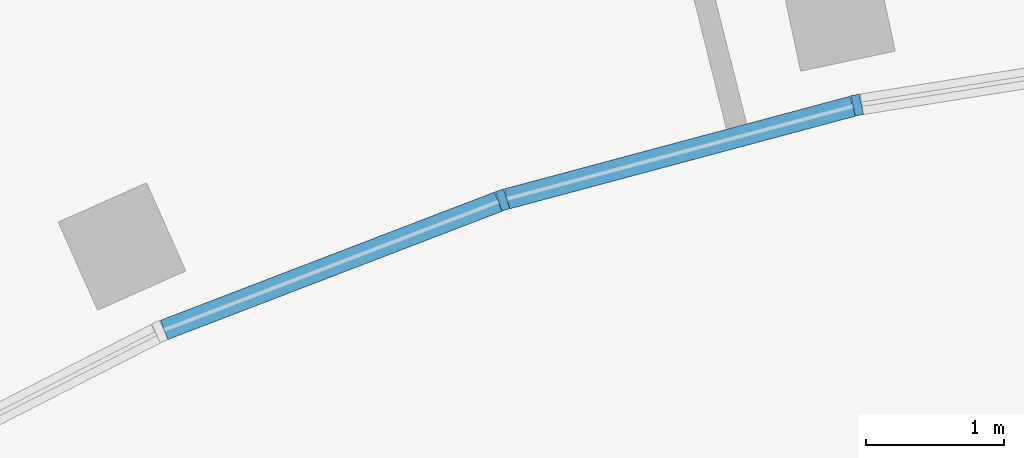
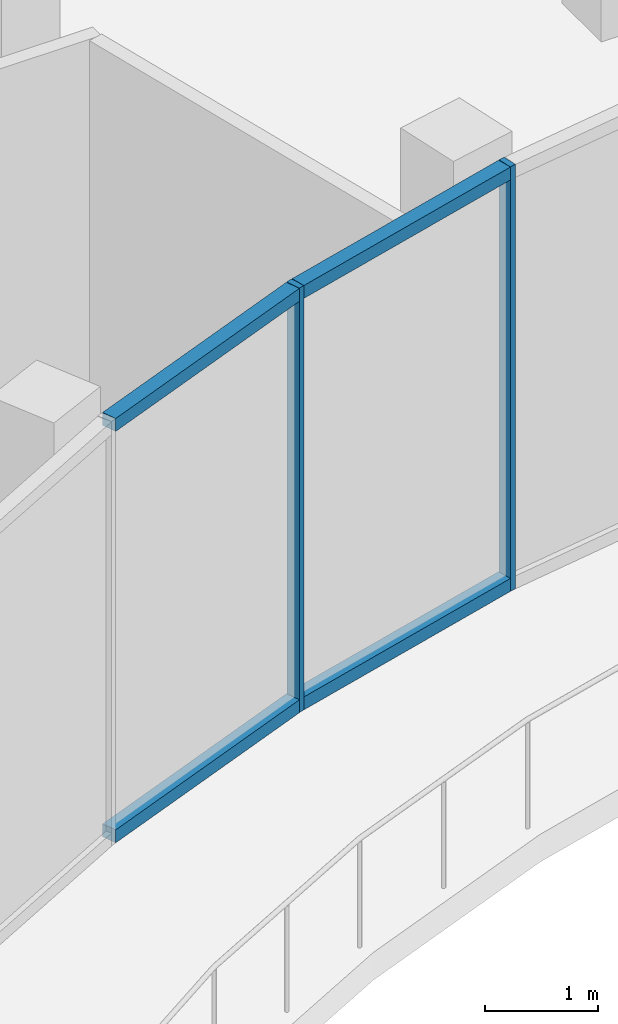
# One storey, part 5 of 39: 6 members, 1 element without a shape of its own.
"""IFC4 building model written with IfcOpenShell, lengths in metres."""

from ifc_helpers import new_model, si_unit, direction, frame, origin, origin_2d, place, context, subcontext, project, spatial, rectangle, extrude, material, layer, layer_set, material_profile, profile_set, type_object, element, aggregate, save


model = new_model("IFC4")

# Units and contexts
model_context = context("Model", 3, precision=1e-05, world=origin(), true_north=direction((0.0, 1.0)))
body_context = subcontext(model_context, "Body", "Model", "MODEL_VIEW")
ifc_project = project(units=[si_unit("LENGTHUNIT", "METRE"), si_unit("AREAUNIT", "SQUARE_METRE"), si_unit("VOLUMEUNIT", "CUBIC_METRE"), si_unit("PLANEANGLEUNIT", "RADIAN"), si_unit("MASSUNIT", "GRAM", prefix="KILO")], contexts=[model_context])

# Site, building, storey
site_placement = place(None, origin())
site = spatial("IfcSite", under=ifc_project, at=site_placement, CompositionType="ELEMENT")
building_placement = place(site_placement, origin())
building = spatial("IfcBuilding", under=site, at=building_placement, Name="Stone Belt Terrace Tower", CompositionType="ELEMENT")
storey_placement = place(building_placement, frame((0.0, 0.0, 16.199951171875)))
storey = spatial("IfcBuildingStorey", under=building, at=storey_placement, Name="L03", CompositionType="ELEMENT", Elevation=16.199951171875)

# Curtain wall, members
ifc_material = material(Name="Aluminium 6063-T6 anodised frame", Category="aluminium")
ifc_layer = layer(ifc_material, 0.14990234375)
ifc_layer_set = layer_set([ifc_layer], Name="CW-D podium shopfront")
curtain_wall_type = type_object("IfcCurtainWallType", Name="CW-D podium shopfront", PredefinedType="NOTDEFINED", material=ifc_layer_set)
curtain_wall_placement = place(storey_placement, origin())
curtain_wall = element("IfcCurtainWall", 1, at=curtain_wall_placement, inside=storey, type_object=curtain_wall_type, Name="CW-D concave face L03", PredefinedType="NOTDEFINED")
ifc_material_profile_1 = material_profile(ifc_material, rectangle(XDim=0.14990234375, YDim=0.06005859375, at=origin_2d()), Name="Aluminium 6063-T6 60x150")
ifc_profile_set_1 = profile_set([ifc_material_profile_1], Name="Aluminium 6063-T6 anodised frame")
member_type_1 = type_object("IfcMemberType", Name="CW-D mullion 60 x 150", PredefinedType="MULLION", material=ifc_profile_set_1)
member_1_placement = place(storey_placement, frame((-7.856689453125, 24.180419921875, 0.0), z_axis=(0.0, 0.0, 1.0), x_axis=(-0.309016994375, 0.951056516295, 0.0)))
member_1 = element("IfcMember", 2, at=member_1_placement, type_object=member_type_1, Name="CW-D mullion 9", PredefinedType="MULLION", context=body_context, shape_type="SweptSolid", body=[
    extrude(rectangle(XDim=0.14990234375, YDim=0.06005859375, at=origin_2d()), origin(), (0.0, 0.0, 1.0), 4.60009765625),
])
member_2_placement = place(storey_placement, frame((-5.2861328125, 24.869384765625, 0.0), z_axis=(0.0, 0.0, 1.0), x_axis=(-0.207911690818, 0.978147600734, 0.0)))
member_2 = element("IfcMember", 3, at=member_2_placement, type_object=member_type_1, Name="CW-D mullion 10", PredefinedType="MULLION", context=body_context, shape_type="SweptSolid", body=[
    extrude(rectangle(XDim=0.14990234375, YDim=0.06005859375, at=origin_2d()), origin(), (0.0, 0.0, 1.0), 4.60009765625),
])
ifc_material_profile_2 = material_profile(ifc_material, rectangle(XDim=0.14990234375, YDim=0.139892578125, at=origin_2d()), Name="Aluminium 6063-T6 150x140")
ifc_profile_set_2 = profile_set([ifc_material_profile_2], Name="Aluminium 6063-T6 anodised frame")
member_type_2 = type_object("IfcMemberType", Name="CW-D transom 140 x 150", PredefinedType="USERDEFINED", material=ifc_profile_set_2)
member_3_placement = place(storey_placement, frame((-10.3095703125, 23.239013671875, 0.070068359375), z_axis=(0.933573485821, 0.358386030102, 0.0), x_axis=(-0.358386030102, 0.933573485821, 0.0)))
member_3 = element("IfcMember", 4, at=member_3_placement, type_object=member_type_2, Name="CW-D transom 8.1", ObjectType="TRANSOM", PredefinedType="USERDEFINED", context=body_context, shape_type="SweptSolid", body=[
    extrude(rectangle(XDim=0.14990234375, YDim=0.139892578125, at=origin_2d()), origin(), (0.0, 0.0, 1.0), 2.593505859375),
])
member_4_placement = place(storey_placement, frame((-10.3095703125, 23.239013671875, 4.530029296875), z_axis=(0.933573485821, 0.358386030102, 0.0), x_axis=(-0.358386030102, 0.933573485821, 0.0)))
member_4 = element("IfcMember", 5, at=member_4_placement, type_object=member_type_2, Name="CW-D transom 8.2", ObjectType="TRANSOM", PredefinedType="USERDEFINED", context=body_context, shape_type="SweptSolid", body=[
    extrude(rectangle(XDim=0.14990234375, YDim=0.139892578125, at=origin_2d()), origin(), (0.0, 0.0, 1.0), 2.593505859375),
])
member_5_placement = place(storey_placement, frame((-7.823974609375, 24.189208984375, 0.070068359375), z_axis=(0.965912332316, 0.258869400046, 0.0), x_axis=(-0.258869400046, 0.965912332316, 0.0)))
member_5 = element("IfcMember", 6, at=member_5_placement, type_object=member_type_2, Name="CW-D transom 9.1", ObjectType="TRANSOM", PredefinedType="USERDEFINED", context=body_context, shape_type="SweptSolid", body=[
    extrude(rectangle(XDim=0.14990234375, YDim=0.139892578125, at=origin_2d()), origin(), (0.0, 0.0, 1.0), 2.593505859375),
])
member_6_placement = place(storey_placement, frame((-7.823974609375, 24.189208984375, 4.530029296875), z_axis=(0.965912332316, 0.258869400046, 0.0), x_axis=(-0.258869400046, 0.965912332316, 0.0)))
member_6 = element("IfcMember", 7, at=member_6_placement, type_object=member_type_2, Name="CW-D transom 9.2", ObjectType="TRANSOM", PredefinedType="USERDEFINED", context=body_context, shape_type="SweptSolid", body=[
    extrude(rectangle(XDim=0.14990234375, YDim=0.139892578125, at=origin_2d()), origin(), (0.0, 0.0, 1.0), 2.593505859375),
])
aggregate(curtain_wall, [member_1, member_2, member_3, member_4, member_5, member_6])

save(model, "model.ifc")
